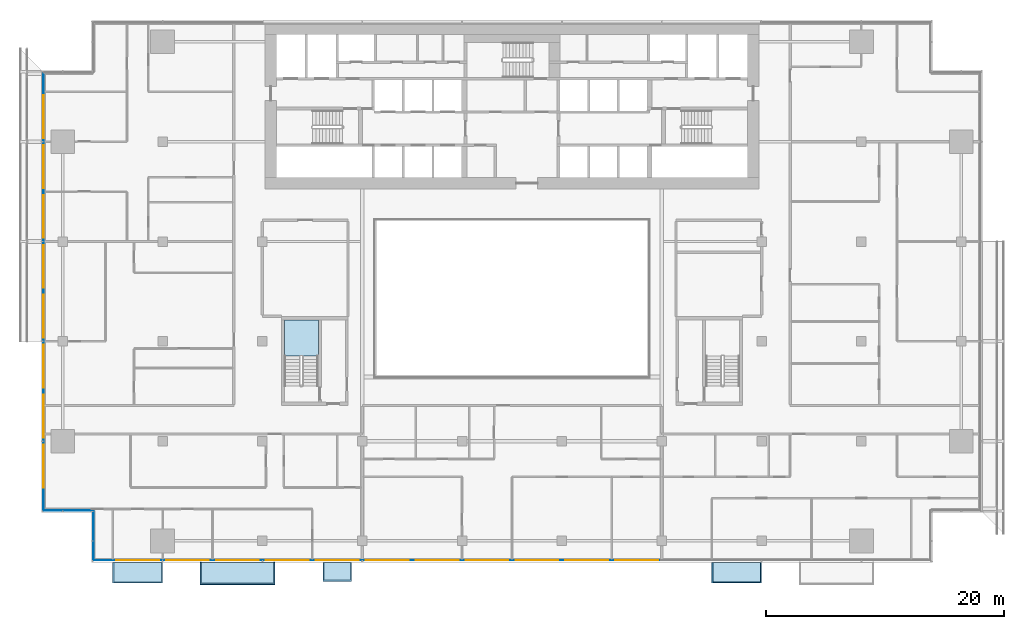
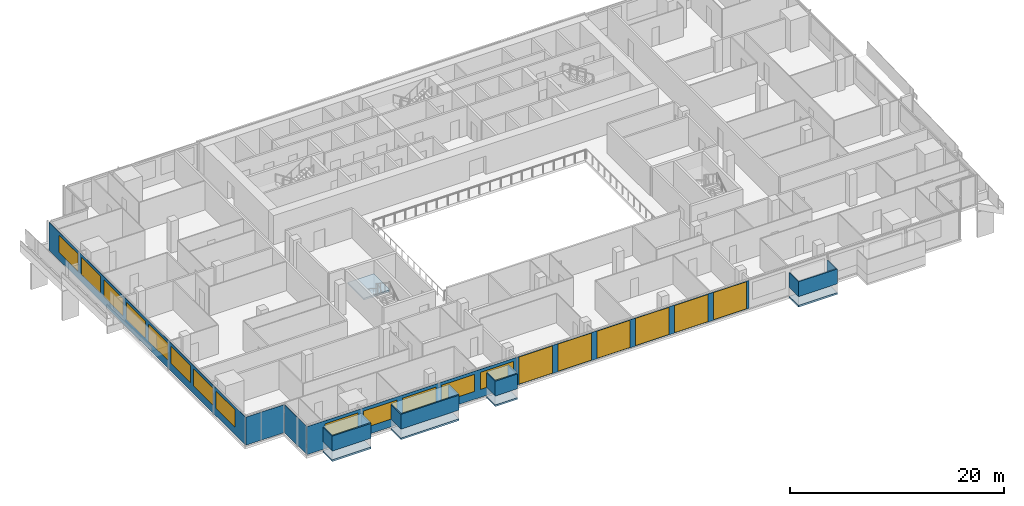
# One storey, part 15 of 27: 19 windows, 12 plates, 5 slabs, 19 openings, 5 elements without a shape of their own.
"""IFC4 building model written with IfcOpenShell, lengths in metres."""

from ifc_helpers import new_model, si_unit, direction, frame, frame_2d, origin, place, context, subcontext, project, spatial, polyline, rectangle, outline, extrude, material, layer, layer_set, type_object, element, fill, aggregate, save


model = new_model("IFC4")

# Units and contexts
model_context = context("Model", 3, precision=1e-05, world=origin(), true_north=direction((0.0, 1.0)))
body_context = subcontext(model_context, "Body", "Model", "MODEL_VIEW")
ifc_project = project(units=[si_unit("LENGTHUNIT", "METRE"), si_unit("AREAUNIT", "SQUARE_METRE"), si_unit("VOLUMEUNIT", "CUBIC_METRE"), si_unit("PLANEANGLEUNIT", "RADIAN"), si_unit("MASSUNIT", "GRAM", prefix="KILO")], contexts=[model_context])

# Site, building, storey
site_placement = place(None, origin())
site = spatial("IfcSite", under=ifc_project, at=site_placement, CompositionType="ELEMENT")
building_placement = place(site_placement, origin())
building = spatial("IfcBuilding", under=site, at=building_placement, Name="Saffron Gate Tower", CompositionType="ELEMENT")
storey_placement = place(building_placement, frame((0.0, 0.0, 109.64990234375)))
storey = spatial("IfcBuildingStorey", under=building, at=storey_placement, Name="L25", CompositionType="ELEMENT", Elevation=109.64990234375)

# Curtain wall, plates, openings, windows
ifc_material_1 = material(Name="Aluminium, bronze anodised", Category="aluminium")
curtain_wall_type_1 = type_object("IfcCurtainWallType", Name="CWS1 curtain wall front facade", PredefinedType="NOTDEFINED", material=ifc_material_1)
curtain_wall_1_placement = place(storey_placement, origin())
curtain_wall_1 = element("IfcCurtainWall", 1, at=curtain_wall_1_placement, inside=storey, type_object=curtain_wall_type_1, Name="CWS1 run 1", PredefinedType="NOTDEFINED")
ifc_material_2 = material(Name="Clear low-iron laminated glass", Category="glass")
ifc_layer_1 = layer(ifc_material_2, 0.028076171875)
ifc_layer_set_1 = layer_set([ifc_layer_1], Name="CWS1 clear glass")
plate_type_1 = type_object("IfcPlateType", Name="CWS1 clear glass", PredefinedType="CURTAIN_PANEL", material=ifc_layer_set_1)
plate_1_placement = place(storey_placement, frame((75.030029296875, 30.174072265625, 0.0), z_axis=(0.0, 0.0, 1.0), x_axis=(1.0, 0.0, 0.0)))
plate_1 = element("IfcPlate", 2, at=plate_1_placement, type_object=plate_type_1, Name="CWS1 clear glass panel", PredefinedType="CURTAIN_PANEL", context=body_context, shape_type="SweptSolid", body=[
    extrude(rectangle(XDim=25.139892578125, YDim=0.028076171875, at=frame_2d((12.56982421875, 0.0))), origin(), (0.0, 0.0, 1.0), 3.2001953125),
])
opening_1_placement = place(plate_1_placement, frame((0.27001953125, 0.0, 0.050048828125)))
opening_1 = element("IfcOpeningElement", 3, at=opening_1_placement, cuts=plate_1, Name="Opening WA", PredefinedType="OPENING", context=body_context, shape_type="SweptSolid", body=[
    extrude(rectangle(XDim=3.60009765625, YDim=3.10009765625, at=frame_2d((1.800048828125, 1.550048828125))), frame((0.0, 0.02392578125, 0.0), z_axis=(0.0, -1.0, 0.0), x_axis=(1.0, 0.0, 0.0)), (0.0, 0.0, 1.0), 0.048095703125),
])
opening_2_placement = place(plate_1_placement, frame((4.469970703125, 0.0, 0.050048828125)))
opening_2 = element("IfcOpeningElement", 4, at=opening_2_placement, cuts=plate_1, Name="Opening WA", PredefinedType="OPENING", context=body_context, shape_type="SweptSolid", body=[
    extrude(rectangle(XDim=3.60009765625, YDim=3.10009765625, at=frame_2d((1.800048828125, 1.550048828125))), frame((0.0, 0.02392578125, 0.0), z_axis=(0.0, -1.0, 0.0), x_axis=(1.0, 0.0, 0.0)), (0.0, 0.0, 1.0), 0.048095703125),
])
opening_3_placement = place(plate_1_placement, frame((8.669921875, 0.0, 0.050048828125)))
opening_3 = element("IfcOpeningElement", 5, at=opening_3_placement, cuts=plate_1, Name="Opening WA", PredefinedType="OPENING", context=body_context, shape_type="SweptSolid", body=[
    extrude(rectangle(XDim=3.60009765625, YDim=3.10009765625, at=frame_2d((1.800048828125, 1.550048828125))), frame((0.0, 0.02392578125, 0.0), z_axis=(0.0, -1.0, 0.0), x_axis=(1.0, 0.0, 0.0)), (0.0, 0.0, 1.0), 0.048095703125),
])
opening_4_placement = place(plate_1_placement, frame((12.8701171875, 0.0, 0.050048828125)))
opening_4 = element("IfcOpeningElement", 6, at=opening_4_placement, cuts=plate_1, Name="Opening WA", PredefinedType="OPENING", context=body_context, shape_type="SweptSolid", body=[
    extrude(rectangle(XDim=3.60009765625, YDim=3.10009765625, at=frame_2d((1.800048828125, 1.550048828125))), frame((0.0, 0.02392578125, 0.0), z_axis=(0.0, -1.0, 0.0), x_axis=(1.0, 0.0, 0.0)), (0.0, 0.0, 1.0), 0.048095703125),
])
opening_5_placement = place(plate_1_placement, frame((17.070068359375, 0.0, 0.050048828125)))
opening_5 = element("IfcOpeningElement", 7, at=opening_5_placement, cuts=plate_1, Name="Opening WA", PredefinedType="OPENING", context=body_context, shape_type="SweptSolid", body=[
    extrude(rectangle(XDim=3.60009765625, YDim=3.10009765625, at=frame_2d((1.800048828125, 1.550048828125))), frame((0.0, 0.02392578125, 0.0), z_axis=(0.0, -1.0, 0.0), x_axis=(1.0, 0.0, 0.0)), (0.0, 0.0, 1.0), 0.048095703125),
])
opening_6_placement = place(plate_1_placement, frame((21.27001953125, 0.0, 0.050048828125)))
opening_6 = element("IfcOpeningElement", 8, at=opening_6_placement, cuts=plate_1, Name="Opening WA", PredefinedType="OPENING", context=body_context, shape_type="SweptSolid", body=[
    extrude(rectangle(XDim=3.60009765625, YDim=3.10009765625, at=frame_2d((1.800048828125, 1.550048828125))), frame((0.0, 0.02392578125, 0.0), z_axis=(0.0, -1.0, 0.0), x_axis=(1.0, 0.0, 0.0)), (0.0, 0.0, 1.0), 0.048095703125),
])
ifc_material_3 = material(Name="Clear low-iron laminated glass in bronze frame", Category="glass")
ifc_layer_2 = layer(ifc_material_3, 0.06005859375)
ifc_layer_set_2 = layer_set([ifc_layer_2], Name="WA operable atrium unit 3600x3100")
window_type_1 = type_object("IfcWindowType", Name="WA operable atrium unit 3600x3100", PartitioningType="DOUBLE_PANEL_HORIZONTAL", PredefinedType="WINDOW", material=ifc_layer_set_2)
window_1_placement = place(opening_1_placement, origin())
window_1 = element("IfcWindow", 9, at=window_1_placement, type_object=window_type_1, Name="WA operable atrium unit", OverallHeight=3.10009765625, OverallWidth=3.60009765625, PartitioningType="SINGLE_PANEL", PredefinedType="WINDOW", context=body_context, shape_type="SweptSolid", body=[
    extrude(rectangle(XDim=3.60009765625, YDim=3.10009765625, at=frame_2d((1.800048828125, 1.550048828125))), frame((0.0, 0.013671875, 0.0), z_axis=(0.0, -1.0, 0.0), x_axis=(1.0, 0.0, 0.0)), (0.0, 0.0, 1.0), 0.027587890625),
])
fill(opening_1, window_1)
window_2_placement = place(opening_2_placement, origin())
window_2 = element("IfcWindow", 10, at=window_2_placement, type_object=window_type_1, Name="WA operable atrium unit", OverallHeight=3.10009765625, OverallWidth=3.60009765625, PartitioningType="SINGLE_PANEL", PredefinedType="WINDOW", context=body_context, shape_type="SweptSolid", body=[
    extrude(rectangle(XDim=3.60009765625, YDim=3.10009765625, at=frame_2d((1.800048828125, 1.550048828125))), frame((0.0, 0.013671875, 0.0), z_axis=(0.0, -1.0, 0.0), x_axis=(1.0, 0.0, 0.0)), (0.0, 0.0, 1.0), 0.027587890625),
])
fill(opening_2, window_2)
window_3_placement = place(opening_3_placement, origin())
window_3 = element("IfcWindow", 11, at=window_3_placement, type_object=window_type_1, Name="WA operable atrium unit", OverallHeight=3.10009765625, OverallWidth=3.60009765625, PartitioningType="SINGLE_PANEL", PredefinedType="WINDOW", context=body_context, shape_type="SweptSolid", body=[
    extrude(rectangle(XDim=3.60009765625, YDim=3.10009765625, at=frame_2d((1.800048828125, 1.550048828125))), frame((0.0, 0.013671875, 0.0), z_axis=(0.0, -1.0, 0.0), x_axis=(1.0, 0.0, 0.0)), (0.0, 0.0, 1.0), 0.027587890625),
])
fill(opening_3, window_3)
window_4_placement = place(opening_4_placement, origin())
window_4 = element("IfcWindow", 12, at=window_4_placement, type_object=window_type_1, Name="WA operable atrium unit", OverallHeight=3.10009765625, OverallWidth=3.60009765625, PartitioningType="SINGLE_PANEL", PredefinedType="WINDOW", context=body_context, shape_type="SweptSolid", body=[
    extrude(rectangle(XDim=3.60009765625, YDim=3.10009765625, at=frame_2d((1.800048828125, 1.550048828125))), frame((0.0, 0.013671875, 0.0), z_axis=(0.0, -1.0, 0.0), x_axis=(1.0, 0.0, 0.0)), (0.0, 0.0, 1.0), 0.027587890625),
])
fill(opening_4, window_4)
window_5_placement = place(opening_5_placement, origin())
window_5 = element("IfcWindow", 13, at=window_5_placement, type_object=window_type_1, Name="WA operable atrium unit", OverallHeight=3.10009765625, OverallWidth=3.60009765625, PartitioningType="SINGLE_PANEL", PredefinedType="WINDOW", context=body_context, shape_type="SweptSolid", body=[
    extrude(rectangle(XDim=3.60009765625, YDim=3.10009765625, at=frame_2d((1.800048828125, 1.550048828125))), frame((0.0, 0.013671875, 0.0), z_axis=(0.0, -1.0, 0.0), x_axis=(1.0, 0.0, 0.0)), (0.0, 0.0, 1.0), 0.027587890625),
])
fill(opening_5, window_5)
window_6_placement = place(opening_6_placement, origin())
window_6 = element("IfcWindow", 14, at=window_6_placement, type_object=window_type_1, Name="WA operable atrium unit", OverallHeight=3.10009765625, OverallWidth=3.60009765625, PartitioningType="SINGLE_PANEL", PredefinedType="WINDOW", context=body_context, shape_type="SweptSolid", body=[
    extrude(rectangle(XDim=3.60009765625, YDim=3.10009765625, at=frame_2d((1.800048828125, 1.550048828125))), frame((0.0, 0.013671875, 0.0), z_axis=(0.0, -1.0, 0.0), x_axis=(1.0, 0.0, 0.0)), (0.0, 0.0, 1.0), 0.027587890625),
])
fill(opening_6, window_6)
ifc_material_4 = material(Name="Fritted bronze-tinted laminated glass", Category="glass")
ifc_layer_3 = layer(ifc_material_4, 0.028076171875)
ifc_layer_set_3 = layer_set([ifc_layer_3], Name="CWS1 fixed glass")
plate_type_2 = type_object("IfcPlateType", Name="CWS1 fixed glass", PredefinedType="CURTAIN_PANEL", material=ifc_layer_set_3)
plate_2_placement = place(storey_placement, frame((52.387939453125, 30.174072265625, 0.0), z_axis=(0.0, 0.0, 1.0), x_axis=(1.0, 0.0, 0.0)))
plate_2 = element("IfcPlate", 15, at=plate_2_placement, type_object=plate_type_2, Name="CWS1 glass panel", PredefinedType="CURTAIN_PANEL", context=body_context, shape_type="SweptSolid", body=[
    extrude(rectangle(XDim=22.64208984375, YDim=0.028076171875, at=frame_2d((11.321044921875, 0.0))), origin(), (0.0, 0.0, 1.0), 3.2001953125),
])
opening_7_placement = place(plate_2_placement, frame((1.912109375, 0.0, 0.89990234375)))
opening_7 = element("IfcOpeningElement", 16, at=opening_7_placement, cuts=plate_2, Name="Opening W1", PredefinedType="OPENING", context=body_context, shape_type="SweptSolid", body=[
    extrude(rectangle(XDim=3.60009765625, YDim=1.949951171875, at=frame_2d((1.800048828125, 0.97509765625))), frame((0.0, 0.02392578125, 0.0), z_axis=(0.0, -1.0, 0.0), x_axis=(1.0, 0.0, 0.0)), (0.0, 0.0, 1.0), 0.048095703125),
])
opening_8_placement = place(plate_2_placement, frame((6.112060546875, 0.0, 0.89990234375)))
opening_8 = element("IfcOpeningElement", 17, at=opening_8_placement, cuts=plate_2, Name="Opening W1", PredefinedType="OPENING", context=body_context, shape_type="SweptSolid", body=[
    extrude(rectangle(XDim=3.60009765625, YDim=1.949951171875, at=frame_2d((1.800048828125, 0.97509765625))), frame((0.0, 0.02392578125, 0.0), z_axis=(0.0, -1.0, 0.0), x_axis=(1.0, 0.0, 0.0)), (0.0, 0.0, 1.0), 0.048095703125),
])
opening_9_placement = place(plate_2_placement, frame((10.31201171875, 0.0, 0.89990234375)))
opening_9 = element("IfcOpeningElement", 18, at=opening_9_placement, cuts=plate_2, Name="Opening W1", PredefinedType="OPENING", context=body_context, shape_type="SweptSolid", body=[
    extrude(rectangle(XDim=3.60009765625, YDim=1.949951171875, at=frame_2d((1.800048828125, 0.97509765625))), frame((0.0, 0.02392578125, 0.0), z_axis=(0.0, -1.0, 0.0), x_axis=(1.0, 0.0, 0.0)), (0.0, 0.0, 1.0), 0.048095703125),
])
opening_10_placement = place(plate_2_placement, frame((14.511962890625, 0.0, 0.89990234375)))
opening_10 = element("IfcOpeningElement", 19, at=opening_10_placement, cuts=plate_2, Name="Opening W1", PredefinedType="OPENING", context=body_context, shape_type="SweptSolid", body=[
    extrude(rectangle(XDim=3.60009765625, YDim=1.949951171875, at=frame_2d((1.800048828125, 0.97509765625))), frame((0.0, 0.02392578125, 0.0), z_axis=(0.0, -1.0, 0.0), x_axis=(1.0, 0.0, 0.0)), (0.0, 0.0, 1.0), 0.048095703125),
])
opening_11_placement = place(plate_2_placement, frame((18.7119140625, 0.0, 0.89990234375)))
opening_11 = element("IfcOpeningElement", 20, at=opening_11_placement, cuts=plate_2, Name="Opening W1", PredefinedType="OPENING", context=body_context, shape_type="SweptSolid", body=[
    extrude(rectangle(XDim=3.60009765625, YDim=1.949951171875, at=frame_2d((1.800048828125, 0.97509765625))), frame((0.0, 0.02392578125, 0.0), z_axis=(0.0, -1.0, 0.0), x_axis=(1.0, 0.0, 0.0)), (0.0, 0.0, 1.0), 0.048095703125),
])
ifc_material_5 = material(Name="Fritted bronze-tinted laminated glass in bronze frame", Category="glass")
ifc_layer_4 = layer(ifc_material_5, 0.06005859375)
ifc_layer_set_4 = layer_set([ifc_layer_4], Name="W1 operable panel 3600x1950")
window_type_2 = type_object("IfcWindowType", Name="W1 operable panel 3600x1950", PartitioningType="DOUBLE_PANEL_HORIZONTAL", PredefinedType="WINDOW", material=ifc_layer_set_4)
window_7_placement = place(opening_7_placement, origin())
window_7 = element("IfcWindow", 21, at=window_7_placement, type_object=window_type_2, Name="W1 operable panel", OverallHeight=1.949951171875, OverallWidth=3.60009765625, PartitioningType="SINGLE_PANEL", PredefinedType="WINDOW", context=body_context, shape_type="SweptSolid", body=[
    extrude(rectangle(XDim=3.60009765625, YDim=1.949951171875, at=frame_2d((1.800048828125, 0.97509765625))), frame((0.0, 0.013671875, 0.0), z_axis=(0.0, -1.0, 0.0), x_axis=(1.0, 0.0, 0.0)), (0.0, 0.0, 1.0), 0.027587890625),
])
fill(opening_7, window_7)
window_8_placement = place(opening_8_placement, origin())
window_8 = element("IfcWindow", 22, at=window_8_placement, type_object=window_type_2, Name="W1 operable panel", OverallHeight=1.949951171875, OverallWidth=3.60009765625, PartitioningType="SINGLE_PANEL", PredefinedType="WINDOW", context=body_context, shape_type="SweptSolid", body=[
    extrude(rectangle(XDim=3.60009765625, YDim=1.949951171875, at=frame_2d((1.800048828125, 0.97509765625))), frame((0.0, 0.013671875, 0.0), z_axis=(0.0, -1.0, 0.0), x_axis=(1.0, 0.0, 0.0)), (0.0, 0.0, 1.0), 0.027587890625),
])
fill(opening_8, window_8)
window_9_placement = place(opening_9_placement, origin())
window_9 = element("IfcWindow", 23, at=window_9_placement, type_object=window_type_2, Name="W1 operable panel", OverallHeight=1.949951171875, OverallWidth=3.60009765625, PartitioningType="SINGLE_PANEL", PredefinedType="WINDOW", context=body_context, shape_type="SweptSolid", body=[
    extrude(rectangle(XDim=3.60009765625, YDim=1.949951171875, at=frame_2d((1.800048828125, 0.97509765625))), frame((0.0, 0.013671875, 0.0), z_axis=(0.0, -1.0, 0.0), x_axis=(1.0, 0.0, 0.0)), (0.0, 0.0, 1.0), 0.027587890625),
])
fill(opening_9, window_9)
window_10_placement = place(opening_10_placement, origin())
window_10 = element("IfcWindow", 24, at=window_10_placement, type_object=window_type_2, Name="W1 operable panel", OverallHeight=1.949951171875, OverallWidth=3.60009765625, PartitioningType="SINGLE_PANEL", PredefinedType="WINDOW", context=body_context, shape_type="SweptSolid", body=[
    extrude(rectangle(XDim=3.60009765625, YDim=1.949951171875, at=frame_2d((1.800048828125, 0.97509765625))), frame((0.0, 0.013671875, 0.0), z_axis=(0.0, -1.0, 0.0), x_axis=(1.0, 0.0, 0.0)), (0.0, 0.0, 1.0), 0.027587890625),
])
fill(opening_10, window_10)
window_11_placement = place(opening_11_placement, origin())
window_11 = element("IfcWindow", 25, at=window_11_placement, type_object=window_type_2, Name="W1 operable panel", OverallHeight=1.949951171875, OverallWidth=3.60009765625, PartitioningType="SINGLE_PANEL", PredefinedType="WINDOW", context=body_context, shape_type="SweptSolid", body=[
    extrude(rectangle(XDim=3.60009765625, YDim=1.949951171875, at=frame_2d((1.800048828125, 0.97509765625))), frame((0.0, 0.013671875, 0.0), z_axis=(0.0, -1.0, 0.0), x_axis=(1.0, 0.0, 0.0)), (0.0, 0.0, 1.0), 0.027587890625),
])
fill(opening_11, window_11)
aggregate(curtain_wall_1, [plate_2, plate_1, window_7, window_8, window_9, window_10, window_11, window_1, window_2, window_3, window_4, window_5, window_6])

# Curtain wall, plate, openings, windows
curtain_wall_type_2 = type_object("IfcCurtainWallType", Name="CWS2 curtain wall side facades", PredefinedType="NOTDEFINED", material=ifc_material_1)
curtain_wall_2_placement = place(storey_placement, origin())
curtain_wall_2 = element("IfcCurtainWall", 26, at=curtain_wall_2_placement, inside=storey, type_object=curtain_wall_type_2, Name="CWS2 run 10", PredefinedType="NOTDEFINED")
ifc_layer_5 = layer(ifc_material_4, 0.028076171875)
ifc_layer_set_5 = layer_set([ifc_layer_5], Name="CWS2 fixed glass")
plate_type_3 = type_object("IfcPlateType", Name="CWS2 fixed glass", PredefinedType="CURTAIN_PANEL", material=ifc_layer_set_5)
plate_3_placement = place(storey_placement, frame((48.174072265625, 71.2119140625, 0.0), z_axis=(0.0, 0.0, 1.0), x_axis=(0.0, -1.0, 0.0)))
plate_3 = element("IfcPlate", 27, at=plate_3_placement, type_object=plate_type_3, Name="CWS2 glass panel", PredefinedType="CURTAIN_PANEL", context=body_context, shape_type="SweptSolid", body=[
    extrude(rectangle(XDim=36.823974609375, YDim=0.028076171875, at=frame_2d((18.412109375, 0.0))), origin(), (0.0, 0.0, 1.0), 3.2001953125),
])
opening_12_placement = place(plate_3_placement, frame((1.912109375, 0.0, 0.89990234375)))
opening_12 = element("IfcOpeningElement", 28, at=opening_12_placement, cuts=plate_3, Name="Opening W1", PredefinedType="OPENING", context=body_context, shape_type="SweptSolid", body=[
    extrude(rectangle(XDim=3.60009765625, YDim=1.949951171875, at=frame_2d((1.800048828125, 0.97509765625))), frame((0.0, 0.02392578125, 0.0), z_axis=(0.0, -1.0, 0.0), x_axis=(1.0, 0.0, 0.0)), (0.0, 0.0, 1.0), 0.048095703125),
])
opening_13_placement = place(plate_3_placement, frame((6.112060546875, 0.0, 0.89990234375)))
opening_13 = element("IfcOpeningElement", 29, at=opening_13_placement, cuts=plate_3, Name="Opening W1", PredefinedType="OPENING", context=body_context, shape_type="SweptSolid", body=[
    extrude(rectangle(XDim=3.60009765625, YDim=1.949951171875, at=frame_2d((1.800048828125, 0.97509765625))), frame((0.0, 0.02392578125, 0.0), z_axis=(0.0, -1.0, 0.0), x_axis=(1.0, 0.0, 0.0)), (0.0, 0.0, 1.0), 0.048095703125),
])
opening_14_placement = place(plate_3_placement, frame((10.31201171875, 0.0, 0.89990234375)))
opening_14 = element("IfcOpeningElement", 30, at=opening_14_placement, cuts=plate_3, Name="Opening W1", PredefinedType="OPENING", context=body_context, shape_type="SweptSolid", body=[
    extrude(rectangle(XDim=3.60009765625, YDim=1.949951171875, at=frame_2d((1.800048828125, 0.97509765625))), frame((0.0, 0.02392578125, 0.0), z_axis=(0.0, -1.0, 0.0), x_axis=(1.0, 0.0, 0.0)), (0.0, 0.0, 1.0), 0.048095703125),
])
opening_15_placement = place(plate_3_placement, frame((14.511962890625, 0.0, 0.89990234375)))
opening_15 = element("IfcOpeningElement", 31, at=opening_15_placement, cuts=plate_3, Name="Opening W1", PredefinedType="OPENING", context=body_context, shape_type="SweptSolid", body=[
    extrude(rectangle(XDim=3.60009765625, YDim=1.949951171875, at=frame_2d((1.800048828125, 0.97509765625))), frame((0.0, 0.02392578125, 0.0), z_axis=(0.0, -1.0, 0.0), x_axis=(1.0, 0.0, 0.0)), (0.0, 0.0, 1.0), 0.048095703125),
])
opening_16_placement = place(plate_3_placement, frame((18.7119140625, 0.0, 0.89990234375)))
opening_16 = element("IfcOpeningElement", 32, at=opening_16_placement, cuts=plate_3, Name="Opening W1", PredefinedType="OPENING", context=body_context, shape_type="SweptSolid", body=[
    extrude(rectangle(XDim=3.60009765625, YDim=1.949951171875, at=frame_2d((1.800048828125, 0.97509765625))), frame((0.0, 0.02392578125, 0.0), z_axis=(0.0, -1.0, 0.0), x_axis=(1.0, 0.0, 0.0)), (0.0, 0.0, 1.0), 0.048095703125),
])
opening_17_placement = place(plate_3_placement, frame((22.912109375, 0.0, 0.89990234375)))
opening_17 = element("IfcOpeningElement", 33, at=opening_17_placement, cuts=plate_3, Name="Opening W1", PredefinedType="OPENING", context=body_context, shape_type="SweptSolid", body=[
    extrude(rectangle(XDim=3.60009765625, YDim=1.949951171875, at=frame_2d((1.800048828125, 0.97509765625))), frame((0.0, 0.02392578125, 0.0), z_axis=(0.0, -1.0, 0.0), x_axis=(1.0, 0.0, 0.0)), (0.0, 0.0, 1.0), 0.048095703125),
])
opening_18_placement = place(plate_3_placement, frame((27.112060546875, 0.0, 0.89990234375)))
opening_18 = element("IfcOpeningElement", 34, at=opening_18_placement, cuts=plate_3, Name="Opening W1", PredefinedType="OPENING", context=body_context, shape_type="SweptSolid", body=[
    extrude(rectangle(XDim=3.60009765625, YDim=1.949951171875, at=frame_2d((1.800048828125, 0.97509765625))), frame((0.0, 0.02392578125, 0.0), z_axis=(0.0, -1.0, 0.0), x_axis=(1.0, 0.0, 0.0)), (0.0, 0.0, 1.0), 0.048095703125),
])
opening_19_placement = place(plate_3_placement, frame((31.31201171875, 0.0, 0.89990234375)))
opening_19 = element("IfcOpeningElement", 35, at=opening_19_placement, cuts=plate_3, Name="Opening W1", PredefinedType="OPENING", context=body_context, shape_type="SweptSolid", body=[
    extrude(rectangle(XDim=3.60009765625, YDim=1.949951171875, at=frame_2d((1.800048828125, 0.97509765625))), frame((0.0, 0.02392578125, 0.0), z_axis=(0.0, -1.0, 0.0), x_axis=(1.0, 0.0, 0.0)), (0.0, 0.0, 1.0), 0.048095703125),
])
window_12_placement = place(opening_12_placement, origin())
window_12 = element("IfcWindow", 36, at=window_12_placement, type_object=window_type_2, Name="W1 operable panel", OverallHeight=1.949951171875, OverallWidth=3.60009765625, PartitioningType="SINGLE_PANEL", PredefinedType="WINDOW", context=body_context, shape_type="SweptSolid", body=[
    extrude(rectangle(XDim=3.60009765625, YDim=1.949951171875, at=frame_2d((1.800048828125, 0.97509765625))), frame((0.0, 0.013671875, 0.0), z_axis=(0.0, -1.0, 0.0), x_axis=(1.0, 0.0, 0.0)), (0.0, 0.0, 1.0), 0.027587890625),
])
fill(opening_12, window_12)
window_13_placement = place(opening_13_placement, origin())
window_13 = element("IfcWindow", 37, at=window_13_placement, type_object=window_type_2, Name="W1 operable panel", OverallHeight=1.949951171875, OverallWidth=3.60009765625, PartitioningType="SINGLE_PANEL", PredefinedType="WINDOW", context=body_context, shape_type="SweptSolid", body=[
    extrude(rectangle(XDim=3.60009765625, YDim=1.949951171875, at=frame_2d((1.800048828125, 0.97509765625))), frame((0.0, 0.013671875, 0.0), z_axis=(0.0, -1.0, 0.0), x_axis=(1.0, 0.0, 0.0)), (0.0, 0.0, 1.0), 0.027587890625),
])
fill(opening_13, window_13)
window_14_placement = place(opening_14_placement, origin())
window_14 = element("IfcWindow", 38, at=window_14_placement, type_object=window_type_2, Name="W1 operable panel", OverallHeight=1.949951171875, OverallWidth=3.60009765625, PartitioningType="SINGLE_PANEL", PredefinedType="WINDOW", context=body_context, shape_type="SweptSolid", body=[
    extrude(rectangle(XDim=3.60009765625, YDim=1.949951171875, at=frame_2d((1.800048828125, 0.97509765625))), frame((0.0, 0.013671875, 0.0), z_axis=(0.0, -1.0, 0.0), x_axis=(1.0, 0.0, 0.0)), (0.0, 0.0, 1.0), 0.027587890625),
])
fill(opening_14, window_14)
window_15_placement = place(opening_15_placement, origin())
window_15 = element("IfcWindow", 39, at=window_15_placement, type_object=window_type_2, Name="W1 operable panel", OverallHeight=1.949951171875, OverallWidth=3.60009765625, PartitioningType="SINGLE_PANEL", PredefinedType="WINDOW", context=body_context, shape_type="SweptSolid", body=[
    extrude(rectangle(XDim=3.60009765625, YDim=1.949951171875, at=frame_2d((1.800048828125, 0.97509765625))), frame((0.0, 0.013671875, 0.0), z_axis=(0.0, -1.0, 0.0), x_axis=(1.0, 0.0, 0.0)), (0.0, 0.0, 1.0), 0.027587890625),
])
fill(opening_15, window_15)
window_16_placement = place(opening_16_placement, origin())
window_16 = element("IfcWindow", 40, at=window_16_placement, type_object=window_type_2, Name="W1 operable panel", OverallHeight=1.949951171875, OverallWidth=3.60009765625, PartitioningType="SINGLE_PANEL", PredefinedType="WINDOW", context=body_context, shape_type="SweptSolid", body=[
    extrude(rectangle(XDim=3.60009765625, YDim=1.949951171875, at=frame_2d((1.800048828125, 0.97509765625))), frame((0.0, 0.013671875, 0.0), z_axis=(0.0, -1.0, 0.0), x_axis=(1.0, 0.0, 0.0)), (0.0, 0.0, 1.0), 0.027587890625),
])
fill(opening_16, window_16)
window_17_placement = place(opening_17_placement, origin())
window_17 = element("IfcWindow", 41, at=window_17_placement, type_object=window_type_2, Name="W1 operable panel", OverallHeight=1.949951171875, OverallWidth=3.60009765625, PartitioningType="SINGLE_PANEL", PredefinedType="WINDOW", context=body_context, shape_type="SweptSolid", body=[
    extrude(rectangle(XDim=3.60009765625, YDim=1.949951171875, at=frame_2d((1.800048828125, 0.97509765625))), frame((0.0, 0.013671875, 0.0), z_axis=(0.0, -1.0, 0.0), x_axis=(1.0, 0.0, 0.0)), (0.0, 0.0, 1.0), 0.027587890625),
])
fill(opening_17, window_17)
window_18_placement = place(opening_18_placement, origin())
window_18 = element("IfcWindow", 42, at=window_18_placement, type_object=window_type_2, Name="W1 operable panel", OverallHeight=1.949951171875, OverallWidth=3.60009765625, PartitioningType="SINGLE_PANEL", PredefinedType="WINDOW", context=body_context, shape_type="SweptSolid", body=[
    extrude(rectangle(XDim=3.60009765625, YDim=1.949951171875, at=frame_2d((1.800048828125, 0.97509765625))), frame((0.0, 0.013671875, 0.0), z_axis=(0.0, -1.0, 0.0), x_axis=(1.0, 0.0, 0.0)), (0.0, 0.0, 1.0), 0.027587890625),
])
fill(opening_18, window_18)
window_19_placement = place(opening_19_placement, origin())
window_19 = element("IfcWindow", 43, at=window_19_placement, type_object=window_type_2, Name="W1 operable panel", OverallHeight=1.949951171875, OverallWidth=3.60009765625, PartitioningType="SINGLE_PANEL", PredefinedType="WINDOW", context=body_context, shape_type="SweptSolid", body=[
    extrude(rectangle(XDim=3.60009765625, YDim=1.949951171875, at=frame_2d((1.800048828125, 0.97509765625))), frame((0.0, 0.013671875, 0.0), z_axis=(0.0, -1.0, 0.0), x_axis=(1.0, 0.0, 0.0)), (0.0, 0.0, 1.0), 0.027587890625),
])
fill(opening_19, window_19)
aggregate(curtain_wall_2, [plate_3, window_12, window_13, window_14, window_15, window_16, window_17, window_18, window_19])

# Curtain wall, plate
curtain_wall_type_3 = type_object("IfcCurtainWallType", Name="CWS4 curtain wall corner returns", PredefinedType="NOTDEFINED", material=ifc_material_1)
curtain_wall_3_placement = place(storey_placement, origin())
curtain_wall_3 = element("IfcCurtainWall", 44, at=curtain_wall_3_placement, inside=storey, type_object=curtain_wall_type_3, Name="CWS4 run 11", PredefinedType="NOTDEFINED")
ifc_layer_6 = layer(ifc_material_4, 0.028076171875)
ifc_layer_set_6 = layer_set([ifc_layer_6], Name="CWS4 fixed glass")
plate_type_4 = type_object("IfcPlateType", Name="CWS4 fixed glass", PredefinedType="CURTAIN_PANEL", material=ifc_layer_set_6)
plate_4_placement = place(storey_placement, frame((48.18798828125, 34.3740234375, 0.0), z_axis=(0.0, 0.0, 1.0), x_axis=(1.0, 0.0, 0.0)))
plate_4 = element("IfcPlate", 45, at=plate_4_placement, type_object=plate_type_4, Name="CWS4 glass panel", PredefinedType="CURTAIN_PANEL", context=body_context, shape_type="SweptSolid", body=[
    extrude(rectangle(XDim=4.172119140625, YDim=0.028076171875, at=frame_2d((2.0859375, 0.0))), origin(), (0.0, 0.0, 1.0), 3.2001953125),
])
aggregate(curtain_wall_3, [plate_4])

curtain_wall_4_placement = place(storey_placement, origin())
curtain_wall_4 = element("IfcCurtainWall", 46, at=curtain_wall_4_placement, inside=storey, type_object=curtain_wall_type_3, Name="CWS4 run 12", PredefinedType="NOTDEFINED")
plate_5_placement = place(storey_placement, frame((52.3740234375, 34.360107421875, 0.0), z_axis=(0.0, 0.0, 1.0), x_axis=(0.0, -1.0, 0.0)))
plate_5 = element("IfcPlate", 47, at=plate_5_placement, type_object=plate_type_4, Name="CWS4 glass panel", PredefinedType="CURTAIN_PANEL", context=body_context, shape_type="SweptSolid", body=[
    extrude(rectangle(XDim=4.172119140625, YDim=0.028076171875, at=frame_2d((2.0859375, 0.0))), origin(), (0.0, 0.0, 1.0), 3.2001953125),
])
aggregate(curtain_wall_4, [plate_5])

# Stair, slab
ifc_material_6 = material(Name="Concrete C40", Category="concrete")
stair_type = type_object("IfcStairType", Name="ST7 Stair 1350 wide, 20 risers of 180", PredefinedType="HALF_TURN_STAIR", material=ifc_material_6)
stair_placement = place(storey_placement, origin())
stair = element("IfcStair", 48, at=stair_placement, inside=storey, type_object=stair_type, Name="L25 Exit stair D", PredefinedType="HALF_TURN_STAIR")
ifc_layer_7 = layer(ifc_material_6, 0.199951171875)
ifc_layer_set_7 = layer_set([ifc_layer_7], Name="SL1 Stair landing 200")
slab_type_1 = type_object("IfcSlabType", Name="SL1 Stair landing 200", PredefinedType="LANDING", material=ifc_layer_set_7)
slab_1_placement = place(storey_placement, frame((0.0, 0.0, 1.60009765625)))
slab_1 = element("IfcSlab", 49, at=slab_1_placement, type_object=slab_type_1, Name="ST-D landing 1", PredefinedType="LANDING", context=body_context, shape_type="SweptSolid", body=[
    extrude(outline(polyline([(71.300048828125, 47.3701171875), (71.300048828125, 50.39990234375), (68.449951171875, 50.39990234375), (68.449951171875, 47.3701171875), (71.300048828125, 47.3701171875)])), origin(), (0.0, 0.0, 1.0), 0.199951171875),
])
aggregate(stair, [slab_1])

# Slabs
ifc_material_7 = material(Name="Timber deck on bronze frame", Category="wood")
ifc_layer_8 = layer(ifc_material_7, 0.199951171875)
ifc_layer_set_8 = layer_set([ifc_layer_8], Name="WB1 box floor")
slab_type_2 = type_object("IfcSlabType", Name="WB1 box floor", PredefinedType="FLOOR", material=ifc_layer_set_8)
slab_2_placement = place(storey_placement, frame((0.0, 0.0, -0.199951171875)))
element("IfcSlab", 50, at=slab_2_placement, inside=storey, type_object=slab_type_2, Name="WINDOW BOX floor", PredefinedType="FLOOR", context=body_context, shape_type="SweptSolid", body=[
    extrude(outline(polyline([(54.0, 30.0), (58.199951171875, 30.0), (58.199951171875, 28.26708984375), (54.0, 28.26708984375), (54.0, 30.0)])), origin(), (0.0, 0.0, 1.0), 0.199951171875),
])
slab_3_placement = place(storey_placement, frame((0.0, 0.0, -0.199951171875)))
element("IfcSlab", 51, at=slab_3_placement, inside=storey, type_object=slab_type_2, Name="WINDOW BOX floor", PredefinedType="FLOOR", context=body_context, shape_type="SweptSolid", body=[
    extrude(outline(polyline([(61.35009765625, 30.0), (67.64990234375, 30.0), (67.64990234375, 28.133056640625), (61.35009765625, 28.133056640625), (61.35009765625, 30.0)])), origin(), (0.0, 0.0, 1.0), 0.199951171875),
])
slab_4_placement = place(storey_placement, frame((0.0, 0.0, -0.199951171875)))
element("IfcSlab", 52, at=slab_4_placement, inside=storey, type_object=slab_type_2, Name="WINDOW BOX floor", PredefinedType="FLOOR", context=body_context, shape_type="SweptSolid", body=[
    extrude(outline(polyline([(71.699951171875, 30.0), (74.10009765625, 30.0), (74.10009765625, 28.39990234375), (71.699951171875, 28.39990234375), (71.699951171875, 30.0)])), origin(), (0.0, 0.0, 1.0), 0.199951171875),
])
slab_5_placement = place(storey_placement, frame((0.0, 0.0, -0.199951171875)))
element("IfcSlab", 53, at=slab_5_placement, inside=storey, type_object=slab_type_2, Name="WINDOW BOX floor", PredefinedType="FLOOR", context=body_context, shape_type="SweptSolid", body=[
    extrude(outline(polyline([(104.39990234375, 30.0), (108.60009765625, 30.0), (108.60009765625, 28.26708984375), (104.39990234375, 28.26708984375), (104.39990234375, 30.0)])), origin(), (0.0, 0.0, 1.0), 0.199951171875),
])

# Plates
ifc_layer_9 = layer(ifc_material_1, 0.1201171875)
ifc_layer_set_9 = layer_set([ifc_layer_9], Name="WB2 box roof")
plate_type_5 = type_object("IfcPlateType", Name="WB2 box roof", PredefinedType="SHEET", material=ifc_layer_set_9)
plate_6_placement = place(storey_placement, frame((0.0, 0.0, 2.7001953125)))
element("IfcPlate", 54, at=plate_6_placement, inside=storey, type_object=plate_type_5, Name="WINDOW BOX roof", PredefinedType="SHEET", context=body_context, shape_type="SweptSolid", body=[
    extrude(outline(polyline([(54.0, 30.0), (58.199951171875, 30.0), (58.199951171875, 28.26708984375), (54.0, 28.26708984375), (54.0, 30.0)])), origin(), (0.0, 0.0, 1.0), 0.119873046875),
])
plate_7_placement = place(storey_placement, frame((0.0, 0.0, 2.7001953125)))
element("IfcPlate", 55, at=plate_7_placement, inside=storey, type_object=plate_type_5, Name="WINDOW BOX roof", PredefinedType="SHEET", context=body_context, shape_type="SweptSolid", body=[
    extrude(outline(polyline([(61.35009765625, 30.0), (67.64990234375, 30.0), (67.64990234375, 28.133056640625), (61.35009765625, 28.133056640625), (61.35009765625, 30.0)])), origin(), (0.0, 0.0, 1.0), 0.119873046875),
])
plate_8_placement = place(storey_placement, frame((0.0, 0.0, 2.7001953125)))
element("IfcPlate", 56, at=plate_8_placement, inside=storey, type_object=plate_type_5, Name="WINDOW BOX roof", PredefinedType="SHEET", context=body_context, shape_type="SweptSolid", body=[
    extrude(outline(polyline([(71.699951171875, 30.0), (74.10009765625, 30.0), (74.10009765625, 28.39990234375), (71.699951171875, 28.39990234375), (71.699951171875, 30.0)])), origin(), (0.0, 0.0, 1.0), 0.119873046875),
])
ifc_layer_10 = layer(ifc_material_2, 0.10009765625)
ifc_layer_set_10 = layer_set([ifc_layer_10], Name="WB6 box glazing")
plate_type_6 = type_object("IfcPlateType", Name="WB6 box glazing", PredefinedType="SHEET", material=ifc_layer_set_10)
plate_9_placement = place(storey_placement, frame((0.0, 0.0, 1.0)))
element("IfcPlate", 57, at=plate_9_placement, inside=storey, type_object=plate_type_6, Name="WINDOW BOX glazing", PredefinedType="SHEET", context=body_context, shape_type="SweptSolid", body=[
    extrude(outline(polyline([(54.0, 30.0), (54.10009765625, 30.0), (54.10009765625, 28.366943359375), (58.10009765625, 28.366943359375), (58.10009765625, 30.0), (58.199951171875, 30.0), (58.199951171875, 28.26708984375), (54.0, 28.26708984375), (54.0, 30.0)])), origin(), (0.0, 0.0, 1.0), 1.7001953125),
])
plate_10_placement = place(storey_placement, frame((0.0, 0.0, 1.0)))
element("IfcPlate", 58, at=plate_10_placement, inside=storey, type_object=plate_type_6, Name="WINDOW BOX glazing", PredefinedType="SHEET", context=body_context, shape_type="SweptSolid", body=[
    extrude(outline(polyline([(61.35009765625, 30.0), (61.449951171875, 30.0), (61.449951171875, 28.23291015625), (67.550048828125, 28.23291015625), (67.550048828125, 30.0), (67.64990234375, 30.0), (67.64990234375, 28.133056640625), (61.35009765625, 28.133056640625), (61.35009765625, 30.0)])), origin(), (0.0, 0.0, 1.0), 1.7001953125),
])
plate_11_placement = place(storey_placement, frame((0.0, 0.0, 1.0)))
element("IfcPlate", 59, at=plate_11_placement, inside=storey, type_object=plate_type_6, Name="WINDOW BOX glazing", PredefinedType="SHEET", context=body_context, shape_type="SweptSolid", body=[
    extrude(outline(polyline([(71.699951171875, 30.0), (71.800048828125, 30.0), (71.800048828125, 28.5), (74.0, 28.5), (74.0, 30.0), (74.10009765625, 30.0), (74.10009765625, 28.39990234375), (71.699951171875, 28.39990234375), (71.699951171875, 30.0)])), origin(), (0.0, 0.0, 1.0), 1.7001953125),
])
plate_12_placement = place(storey_placement, frame((0.0, 0.0, 1.0)))
element("IfcPlate", 60, at=plate_12_placement, inside=storey, type_object=plate_type_6, Name="WINDOW BOX glazing", PredefinedType="SHEET", context=body_context, shape_type="SweptSolid", body=[
    extrude(outline(polyline([(104.39990234375, 30.0), (104.5, 30.0), (104.5, 28.366943359375), (108.5, 28.366943359375), (108.5, 30.0), (108.60009765625, 30.0), (108.60009765625, 28.26708984375), (104.39990234375, 28.26708984375), (104.39990234375, 30.0)])), origin(), (0.0, 0.0, 1.0), 1.7001953125),
])

save(model, "model.ifc")
